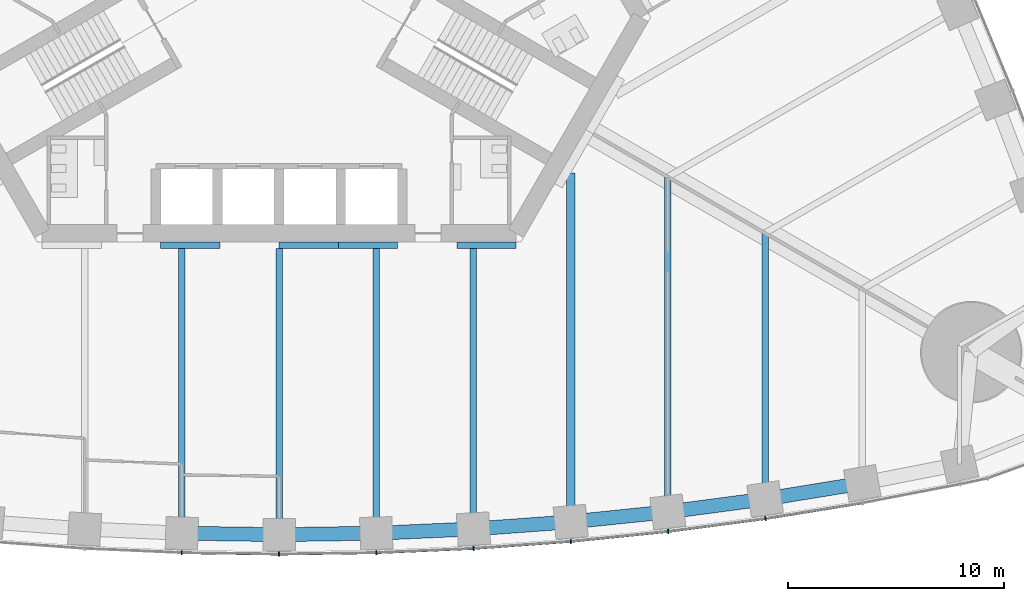
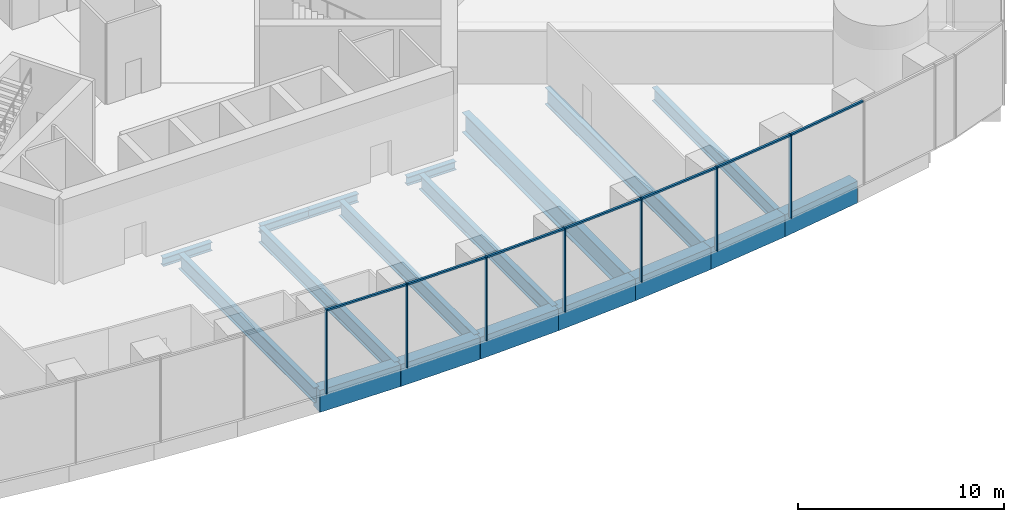
# One storey, part 5 of 21: 18 beams, 14 members, 1 element without a shape of its own.
"""IFC4 building model written with IfcOpenShell, lengths in metres."""

from ifc_helpers import new_model, si_unit, direction, frame, origin, origin_2d, place, context, subcontext, project, spatial, rectangle, i_section, extrude, material, material_profile, profile_set, type_object, element, aggregate, save


model = new_model("IFC4")

# Units and contexts
model_context = context("Model", 3, precision=1e-05, world=origin(), true_north=direction((0.0, 1.0)))
body_context = subcontext(model_context, "Body", "Model", "MODEL_VIEW")
ifc_project = project(units=[si_unit("LENGTHUNIT", "METRE"), si_unit("AREAUNIT", "SQUARE_METRE"), si_unit("VOLUMEUNIT", "CUBIC_METRE"), si_unit("PLANEANGLEUNIT", "RADIAN"), si_unit("MASSUNIT", "GRAM", prefix="KILO")], contexts=[model_context])

# Site, building, storey
site_placement = place(None, origin())
site = spatial("IfcSite", under=ifc_project, at=site_placement, CompositionType="ELEMENT")
building_placement = place(site_placement, origin())
building = spatial("IfcBuilding", under=site, at=building_placement, Name="Trefoil Bronze Tower", CompositionType="ELEMENT")
storey_placement = place(building_placement, frame((0.0, 0.0, 11.5)))
storey = spatial("IfcBuildingStorey", under=building, at=storey_placement, Name="L02", CompositionType="ELEMENT", Elevation=11.5)

# Curtain wall, members
ifc_material_1 = material(Name="Tinted solar-control glass", Category="glass")
curtain_wall_type = type_object("IfcCurtainWallType", Name="Bronze podium storefront curtain wall", PredefinedType="USERDEFINED", material=ifc_material_1)
curtain_wall_placement = place(storey_placement, origin())
curtain_wall = element("IfcCurtainWall", 1, at=curtain_wall_placement, inside=storey, type_object=curtain_wall_type, Name="CW-C L02 F1", ObjectType="CURTAIN WALL", PredefinedType="USERDEFINED")
ifc_material_2 = material(Name="Bronze-finish aluminium", Category="aluminium")
ifc_material_profile_1 = material_profile(ifc_material_2, rectangle(XDim=0.199951171875, YDim=0.06005859375, at=origin_2d()), Name="CW-C mullion")
ifc_profile_set_1 = profile_set([ifc_material_profile_1], Name="Bronze-finish aluminium")
member_type_1 = type_object("IfcMemberType", Name="Bronze podium storefront curtain wall mullion", PredefinedType="MULLION", material=ifc_profile_set_1)
member_1_placement = place(storey_placement, frame((-4.5029296875, -27.783447265625, 0.0), z_axis=(0.0, 0.0, 1.0), x_axis=(0.029021671584, 0.999578782577, 0.0)))
member_1 = element("IfcMember", 2, at=member_1_placement, type_object=member_type_1, Name="CW-C L02 F1 mullion 8", PredefinedType="MULLION", context=body_context, shape_type="SweptSolid", body=[
    extrude(rectangle(XDim=0.199951171875, YDim=0.06005859375, at=origin_2d()), origin(), (0.0, 0.0, 1.0), 4.97998046875),
])
member_2_placement = place(storey_placement, frame((0.0, -27.8486328125, 0.0), z_axis=(0.0, 0.0, 1.0), x_axis=(0.0, 1.0, 0.0)))
member_2 = element("IfcMember", 3, at=member_2_placement, type_object=member_type_1, Name="CW-C L02 F1 mullion 9", PredefinedType="MULLION", context=body_context, shape_type="SweptSolid", body=[
    extrude(rectangle(XDim=0.199951171875, YDim=0.06005859375, at=origin_2d()), origin(), (0.0, 0.0, 1.0), 4.97998046875),
])
member_3_placement = place(storey_placement, frame((4.5029296875, -27.783447265625, 0.0), z_axis=(0.0, 0.0, 1.0), x_axis=(-0.029021671584, 0.999578782577, 0.0)))
member_3 = element("IfcMember", 4, at=member_3_placement, type_object=member_type_1, Name="CW-C L02 F1 mullion 10", PredefinedType="MULLION", context=body_context, shape_type="SweptSolid", body=[
    extrude(rectangle(XDim=0.199951171875, YDim=0.06005859375, at=origin_2d()), origin(), (0.0, 0.0, 1.0), 4.97998046875),
])
member_4_placement = place(storey_placement, frame((9.005859375, -27.587158203125, 0.0), z_axis=(0.0, 0.0, 1.0), x_axis=(-0.058043374207, 0.998314062162, 0.0)))
member_4 = element("IfcMember", 5, at=member_4_placement, type_object=member_type_1, Name="CW-C L02 F1 mullion 11", PredefinedType="MULLION", context=body_context, shape_type="SweptSolid", body=[
    extrude(rectangle(XDim=0.199951171875, YDim=0.06005859375, at=origin_2d()), origin(), (0.0, 0.0, 1.0), 4.97998046875),
])
member_5_placement = place(storey_placement, frame((13.5087890625, -27.259765625, 0.0), z_axis=(0.0, 0.0, 1.0), x_axis=(-0.087065139456, 0.996202620701, 0.0)))
member_5 = element("IfcMember", 6, at=member_5_placement, type_object=member_type_1, Name="CW-C L02 F1 mullion 12", PredefinedType="MULLION", context=body_context, shape_type="SweptSolid", body=[
    extrude(rectangle(XDim=0.199951171875, YDim=0.06005859375, at=origin_2d()), origin(), (0.0, 0.0, 1.0), 4.97998046875),
])
member_6_placement = place(storey_placement, frame((18.01171875, -26.800048828125, 0.0), z_axis=(0.0, 0.0, 1.0), x_axis=(-0.116086999973, 0.993239048989, 0.0)))
member_6 = element("IfcMember", 7, at=member_6_placement, type_object=member_type_1, Name="CW-C L02 F1 mullion 13", PredefinedType="MULLION", context=body_context, shape_type="SweptSolid", body=[
    extrude(rectangle(XDim=0.199951171875, YDim=0.06005859375, at=origin_2d()), origin(), (0.0, 0.0, 1.0), 4.97998046875),
])
member_7_placement = place(storey_placement, frame((22.514404296875, -26.206787109375, 0.0), z_axis=(0.0, 0.0, 1.0), x_axis=(-0.145108990094, 0.989415676546, 0.0)))
member_7 = element("IfcMember", 8, at=member_7_placement, type_object=member_type_1, Name="CW-C L02 F1 mullion 14", PredefinedType="MULLION", context=body_context, shape_type="SweptSolid", body=[
    extrude(rectangle(XDim=0.199951171875, YDim=0.06005859375, at=origin_2d()), origin(), (0.0, 0.0, 1.0), 4.97998046875),
])
ifc_material_3 = material(Name="Bronze-finish aluminium", Category="aluminium")
ifc_material_profile_2 = material_profile(ifc_material_3, rectangle(XDim=0.1201171875, YDim=0.10009765625, at=origin_2d()), Name="CW-C transom")
ifc_profile_set_2 = profile_set([ifc_material_profile_2], Name="Bronze-finish aluminium")
member_type_2 = type_object("IfcMemberType", Name="Bronze podium storefront curtain wall transom", PredefinedType="USERDEFINED", material=ifc_profile_set_2)
member_8_placement = place(storey_placement, frame((-4.471435546875, -27.783935546875, 4.929931640625), z_axis=(0.999895446395, -0.014460161795, 0.0), x_axis=(0.014460161795, 0.999895446395, 0.0)))
member_8 = element("IfcMember", 9, at=member_8_placement, type_object=member_type_2, Name="CW-C L02 F1 transom 8", ObjectType="TRANSOM", PredefinedType="USERDEFINED", context=body_context, shape_type="SweptSolid", body=[
    extrude(rectangle(XDim=0.1201171875, YDim=0.10009765625, at=origin_2d()), origin(), (0.0, 0.0, 1.0), 4.4404296875),
])
member_9_placement = place(storey_placement, frame((0.031494140625, -27.84814453125, 4.929931640625), z_axis=(0.999895446395, 0.014460161795, 0.0), x_axis=(-0.014460161795, 0.999895446395, 0.0)))
member_9 = element("IfcMember", 10, at=member_9_placement, type_object=member_type_2, Name="CW-C L02 F1 transom 9", ObjectType="TRANSOM", PredefinedType="USERDEFINED", context=body_context, shape_type="SweptSolid", body=[
    extrude(rectangle(XDim=0.1201171875, YDim=0.10009765625, at=origin_2d()), origin(), (0.0, 0.0, 1.0), 4.4404296875),
])
member_10_placement = place(storey_placement, frame((4.534423828125, -27.781982421875, 4.929931640625), z_axis=(0.999053046251, 0.043508743684, 0.0), x_axis=(-0.043508743684, 0.999053046251, 0.0)))
member_10 = element("IfcMember", 11, at=member_10_placement, type_object=member_type_2, Name="CW-C L02 F1 transom 10", ObjectType="TRANSOM", PredefinedType="USERDEFINED", context=body_context, shape_type="SweptSolid", body=[
    extrude(rectangle(XDim=0.1201171875, YDim=0.10009765625, at=origin_2d()), origin(), (0.0, 0.0, 1.0), 4.444091796875),
])
member_11_placement = place(storey_placement, frame((9.037109375, -27.5849609375, 4.929931640625), z_axis=(0.997364590548, 0.072552556953, 0.0), x_axis=(-0.072552556953, 0.997364590548, 0.0)))
member_11 = element("IfcMember", 12, at=member_11_placement, type_object=member_type_2, Name="CW-C L02 F1 transom 11", ObjectType="TRANSOM", PredefinedType="USERDEFINED", context=body_context, shape_type="SweptSolid", body=[
    extrude(rectangle(XDim=0.1201171875, YDim=0.10009765625, at=origin_2d()), origin(), (0.0, 0.0, 1.0), 4.451904296875),
])
member_12_placement = place(storey_placement, frame((13.5400390625, -27.25634765625, 4.929931640625), z_axis=(0.994833127844, 0.101523631455, 0.0), x_axis=(-0.101523631455, 0.994833127844, 0.0)))
member_12 = element("IfcMember", 13, at=member_12_placement, type_object=member_type_2, Name="CW-C L02 F1 transom 12", ObjectType="TRANSOM", PredefinedType="USERDEFINED", context=body_context, shape_type="SweptSolid", body=[
    extrude(rectangle(XDim=0.1201171875, YDim=0.10009765625, at=origin_2d()), origin(), (0.0, 0.0, 1.0), 4.463134765625),
])
member_13_placement = place(storey_placement, frame((18.042724609375, -26.7958984375, 4.929931640625), z_axis=(0.991435175775, 0.130599740566, 0.0), x_axis=(-0.130599740566, 0.991435175775, 0.0)))
member_13 = element("IfcMember", 14, at=member_13_placement, type_object=member_type_2, Name="CW-C L02 F1 transom 13", ObjectType="TRANSOM", PredefinedType="USERDEFINED", context=body_context, shape_type="SweptSolid", body=[
    extrude(rectangle(XDim=0.1201171875, YDim=0.10009765625, at=origin_2d()), origin(), (0.0, 0.0, 1.0), 4.47900390625),
])
member_14_placement = place(storey_placement, frame((22.545654296875, -26.201904296875, 4.929931640625), z_axis=(0.987178845657, 0.159618065043, 0.0), x_axis=(-0.159618065043, 0.987178845657, 0.0)))
member_14 = element("IfcMember", 15, at=member_14_placement, type_object=member_type_2, Name="CW-C L02 F1 transom 14", ObjectType="TRANSOM", PredefinedType="USERDEFINED", context=body_context, shape_type="SweptSolid", body=[
    extrude(rectangle(XDim=0.1201171875, YDim=0.10009765625, at=origin_2d()), origin(), (0.0, 0.0, 1.0), 4.498291015625),
])
aggregate(curtain_wall, [member_1, member_2, member_3, member_4, member_5, member_6, member_7, member_8, member_9, member_10, member_11, member_12, member_13, member_14])

# Beams
ifc_material_4 = material(Name="Steel C355", Category="steel")
ifc_material_profile_3 = material_profile(ifc_material_4, i_section(OverallWidth=0.300048828125, OverallDepth=0.5, WebThickness=0.014404296875, FlangeThickness=0.028076171875, FilletRadius=0.027099609375, at=origin_2d()), Name="HEB 500")
ifc_profile_set_3 = profile_set([ifc_material_profile_3], Name="Steel C355")
beam_type_1 = type_object("IfcBeamType", Name="Core seat beam HEB 500", PredefinedType="BEAM", material=ifc_profile_set_3)
for number, where, z_axis, x_axis, name in (
    (16, (-5.48486328125, -13.550048828125, -0.449951171875), (1.0, 0.0, 0.0), (0.0, 1.0, 0.0), "Core seat beam F1/-1 L02"),
    (17, (0.0, -13.550048828125, -0.449951171875), (1.0, 0.0, 0.0), (0.0, 1.0, 0.0), "Core seat beam F1/+0 L02"),
    (18, (2.742431640625, -13.550048828125, -0.449951171875), (1.0, 0.0, 0.0), (0.0, 1.0, 0.0), "Core seat beam F1/+1 L02"),
    (19, (8.227294921875, -13.550048828125, -0.449951171875), (1.0, 0.0, 0.0), (0.0, 1.0, 0.0), "Core seat beam F1/+2 L02"),
):
    element("IfcBeam", number, at=place(storey_placement, frame(where, z_axis=z_axis, x_axis=x_axis)), inside=storey, type_object=beam_type_1, Name=name, PredefinedType="BEAM", context=body_context, shape_type="SweptSolid", body=[
        extrude(i_section(OverallWidth=0.300048828125, OverallDepth=0.5, WebThickness=0.014404296875, FlangeThickness=0.028076171875, FilletRadius=0.027099609375, at=origin_2d()), origin(), (0.0, 0.0, 1.0), 2.742431640625),
    ])
ifc_material_5 = material(Name="Steel C355", Category="steel")
ifc_material_profile_4 = material_profile(ifc_material_5, i_section(OverallWidth=0.300048828125, OverallDepth=0.800048828125, WebThickness=0.017578125, FlangeThickness=0.032958984375, FilletRadius=0.030029296875, at=origin_2d()), Name="HEB 800")
ifc_profile_set_4 = profile_set([ifc_material_profile_4], Name="Steel C355")
beam_type_2 = type_object("IfcBeamType", Name="Floor beam HEB 800", PredefinedType="BEAM", material=ifc_profile_set_4)
beam_1_placement = place(storey_placement, frame((22.5, -25.29931640625, -0.60009765625), z_axis=(0.0, 1.0, 0.0), x_axis=(-1.0, 0.0, 0.0)))
element("IfcBeam", 20, at=beam_1_placement, inside=storey, type_object=beam_type_2, Name="Floor beam F1/+5 L02", PredefinedType="BEAM", context=body_context, shape_type="SweptSolid", body=[
    extrude(i_section(OverallWidth=0.300048828125, OverallDepth=0.800048828125, WebThickness=0.017578125, FlangeThickness=0.032958984375, FilletRadius=0.030029296875, at=origin_2d()), origin(), (0.0, 0.0, 1.0), 12.308837890625),
])
ifc_material_6 = material(Name="Steel C355", Category="steel")
ifc_material_profile_5 = material_profile(ifc_material_6, i_section(OverallWidth=0.300048828125, OverallDepth=0.89990234375, WebThickness=0.0185546875, FlangeThickness=0.034912109375, FilletRadius=0.030029296875, at=origin_2d()), Name="HEB 900")
ifc_profile_set_5 = profile_set([ifc_material_profile_5], Name="Steel C355")
beam_type_3 = type_object("IfcBeamType", Name="Floor beam HEB 900", PredefinedType="BEAM", material=ifc_profile_set_5)
beam_2_placement = place(storey_placement, frame((-4.5, -26.883056640625, -0.64990234375), z_axis=(0.0, 1.0, 0.0), x_axis=(-1.0, 0.0, 0.0)))
element("IfcBeam", 21, at=beam_2_placement, inside=storey, type_object=beam_type_3, Name="Floor beam F1/-1 L02", PredefinedType="BEAM", context=body_context, shape_type="SweptSolid", body=[
    extrude(i_section(OverallWidth=0.300048828125, OverallDepth=0.89990234375, WebThickness=0.0185546875, FlangeThickness=0.034912109375, FilletRadius=0.030029296875, at=origin_2d()), origin(), (0.0, 0.0, 1.0), 13.18310546875),
])
beam_3_placement = place(storey_placement, frame((0.0, -26.94873046875, -0.64990234375), z_axis=(0.0, 1.0, 0.0), x_axis=(-1.0, 0.0, 0.0)))
element("IfcBeam", 22, at=beam_3_placement, inside=storey, type_object=beam_type_3, Name="Floor beam F1/+0 L02", PredefinedType="BEAM", context=body_context, shape_type="SweptSolid", body=[
    extrude(i_section(OverallWidth=0.300048828125, OverallDepth=0.89990234375, WebThickness=0.0185546875, FlangeThickness=0.034912109375, FilletRadius=0.030029296875, at=origin_2d()), origin(), (0.0, 0.0, 1.0), 13.248779296875),
])
beam_4_placement = place(storey_placement, frame((4.5, -26.883056640625, -0.64990234375), z_axis=(0.0, 1.0, 0.0), x_axis=(-1.0, 0.0, 0.0)))
element("IfcBeam", 23, at=beam_4_placement, inside=storey, type_object=beam_type_3, Name="Floor beam F1/+1 L02", PredefinedType="BEAM", context=body_context, shape_type="SweptSolid", body=[
    extrude(i_section(OverallWidth=0.300048828125, OverallDepth=0.89990234375, WebThickness=0.0185546875, FlangeThickness=0.034912109375, FilletRadius=0.030029296875, at=origin_2d()), origin(), (0.0, 0.0, 1.0), 13.18310546875),
])
beam_5_placement = place(storey_placement, frame((9.0, -26.68603515625, -0.64990234375), z_axis=(0.0, 1.0, 0.0), x_axis=(-1.0, 0.0, 0.0)))
element("IfcBeam", 24, at=beam_5_placement, inside=storey, type_object=beam_type_3, Name="Floor beam F1/+2 L02", PredefinedType="BEAM", context=body_context, shape_type="SweptSolid", body=[
    extrude(i_section(OverallWidth=0.300048828125, OverallDepth=0.89990234375, WebThickness=0.0185546875, FlangeThickness=0.034912109375, FilletRadius=0.030029296875, at=origin_2d()), origin(), (0.0, 0.0, 1.0), 12.986083984375),
])
ifc_material_7 = material(Name="Steel C355", Category="steel")
ifc_material_profile_6 = material_profile(ifc_material_7, i_section(OverallWidth=0.302001953125, OverallDepth=1.008056640625, WebThickness=0.02099609375, FlangeThickness=0.0400390625, FilletRadius=0.030029296875, at=origin_2d()), Name="HEM 1000")
ifc_profile_set_6 = profile_set([ifc_material_profile_6], Name="Steel C355")
beam_type_4 = type_object("IfcBeamType", Name="Floor beam HEM 1000", PredefinedType="BEAM", material=ifc_profile_set_6)
beam_6_placement = place(storey_placement, frame((18.0, -25.895263671875, -0.7041015625), z_axis=(0.0, 1.0, 0.0), x_axis=(-1.0, 0.0, 0.0)))
element("IfcBeam", 25, at=beam_6_placement, inside=storey, type_object=beam_type_4, Name="Floor beam F1/+4 L02", PredefinedType="BEAM", context=body_context, shape_type="SweptSolid", body=[
    extrude(i_section(OverallWidth=0.302001953125, OverallDepth=1.008056640625, WebThickness=0.02099609375, FlangeThickness=0.0400390625, FilletRadius=0.030029296875, at=origin_2d()), origin(), (0.0, 0.0, 1.0), 15.5029296875),
])
ifc_material_8 = material(Name="Steel C355", Category="steel")
ifc_material_profile_7 = material_profile(ifc_material_8, i_section(OverallWidth=0.39990234375, OverallDepth=1.199951171875, WebThickness=0.02001953125, FlangeThickness=0.0400390625, FilletRadius=0.010009765625, at=origin_2d()), Name="WPG 1200")
ifc_profile_set_7 = profile_set([ifc_material_profile_7], Name="Steel C355")
beam_type_5 = type_object("IfcBeamType", Name="Floor beam WPG 1200", PredefinedType="BEAM", material=ifc_profile_set_7)
beam_7_placement = place(storey_placement, frame((13.5, -26.35693359375, -0.800048828125), z_axis=(0.0, 1.0, 0.0), x_axis=(-1.0, 0.0, 0.0)))
element("IfcBeam", 26, at=beam_7_placement, inside=storey, type_object=beam_type_5, Name="Floor beam F1/+3 L02", PredefinedType="BEAM", context=body_context, shape_type="SweptSolid", body=[
    extrude(i_section(OverallWidth=0.39990234375, OverallDepth=1.199951171875, WebThickness=0.02001953125, FlangeThickness=0.0400390625, FilletRadius=0.010009765625, at=origin_2d()), origin(), (0.0, 0.0, 1.0), 16.1396484375),
])
ifc_material_9 = material(Name="Concrete B80", Category="concrete")
ifc_material_profile_8 = material_profile(ifc_material_9, rectangle(XDim=0.64990234375, YDim=1.300048828125, at=origin_2d()), Name="RC 650x1300")
ifc_profile_set_8 = profile_set([ifc_material_profile_8], Name="Concrete B80")
beam_type_6 = type_object("IfcBeamType", Name="Spandrel beam RC 650x1300", PredefinedType="SPANDREL", material=ifc_profile_set_8)
for number, where, z_axis, x_axis, name in (
    (27, (-4.5, -26.883056640625, -0.85009765625), (0.999893521905, -0.014592630067, 0.0), (0.014592630067, 0.999893521905, 0.0), "Spandrel F1.8 L02"),
    (28, (0.0, -26.94873046875, -0.85009765625), (0.999893521905, 0.014592630067, 0.0), (-0.014592630067, 0.999893521905, 0.0), "Spandrel F1.9 L02"),
):
    element("IfcBeam", number, at=place(storey_placement, frame(where, z_axis=z_axis, x_axis=x_axis)), inside=storey, type_object=beam_type_6, Name=name, PredefinedType="SPANDREL", context=body_context, shape_type="SweptSolid", body=[
        extrude(rectangle(XDim=0.64990234375, YDim=1.300048828125, at=origin_2d()), origin(), (0.0, 0.0, 1.0), 4.50048828125),
    ])
beam_8_placement = place(storey_placement, frame((4.5, -26.883056640625, -0.85009765625), z_axis=(0.999042919826, 0.043740648671, 0.0), x_axis=(-0.043740648671, 0.999042919826, 0.0)))
element("IfcBeam", 29, at=beam_8_placement, inside=storey, type_object=beam_type_6, Name="Spandrel F1.10 L02", PredefinedType="SPANDREL", context=body_context, shape_type="SweptSolid", body=[
    extrude(rectangle(XDim=0.64990234375, YDim=1.300048828125, at=origin_2d()), origin(), (0.0, 0.0, 1.0), 4.50439453125),
])
beam_9_placement = place(storey_placement, frame((9.0, -26.68603515625, -0.85009765625), z_axis=(0.997336412354, 0.072938882588, 0.0), x_axis=(-0.072938882588, 0.997336412354, 0.0)))
element("IfcBeam", 30, at=beam_9_placement, inside=storey, type_object=beam_type_6, Name="Spandrel F1.11 L02", PredefinedType="SPANDREL", context=body_context, shape_type="SweptSolid", body=[
    extrude(rectangle(XDim=0.64990234375, YDim=1.300048828125, at=origin_2d()), origin(), (0.0, 0.0, 1.0), 4.511962890625),
])
beam_10_placement = place(storey_placement, frame((13.5, -26.35693359375, -0.85009765625), z_axis=(0.994778488621, 0.102057623805, 0.0), x_axis=(-0.102057623805, 0.994778488621, 0.0)))
element("IfcBeam", 31, at=beam_10_placement, inside=storey, type_object=beam_type_6, Name="Spandrel F1.12 L02", PredefinedType="SPANDREL", context=body_context, shape_type="SweptSolid", body=[
    extrude(rectangle(XDim=0.64990234375, YDim=1.300048828125, at=origin_2d()), origin(), (0.0, 0.0, 1.0), 4.523681640625),
])
beam_11_placement = place(storey_placement, frame((18.0, -25.895263671875, -0.85009765625), z_axis=(0.991344474846, 0.131286450906, 0.0), x_axis=(-0.131286450906, 0.991344474846, 0.0)))
element("IfcBeam", 32, at=beam_11_placement, inside=storey, type_object=beam_type_6, Name="Spandrel F1.13 L02", PredefinedType="SPANDREL", context=body_context, shape_type="SweptSolid", body=[
    extrude(rectangle(XDim=0.64990234375, YDim=1.300048828125, at=origin_2d()), origin(), (0.0, 0.0, 1.0), 4.539306640625),
])
beam_12_placement = place(storey_placement, frame((22.5, -25.29931640625, -0.85009765625), z_axis=(0.987045951254, 0.160437807615, 0.0), x_axis=(-0.160437807615, 0.987045951254, 0.0)))
element("IfcBeam", 33, at=beam_12_placement, inside=storey, type_object=beam_type_6, Name="Spandrel F1.14 L02", PredefinedType="SPANDREL", context=body_context, shape_type="SweptSolid", body=[
    extrude(rectangle(XDim=0.64990234375, YDim=1.300048828125, at=origin_2d()), origin(), (0.0, 0.0, 1.0), 4.55908203125),
])

save(model, "model.ifc")
